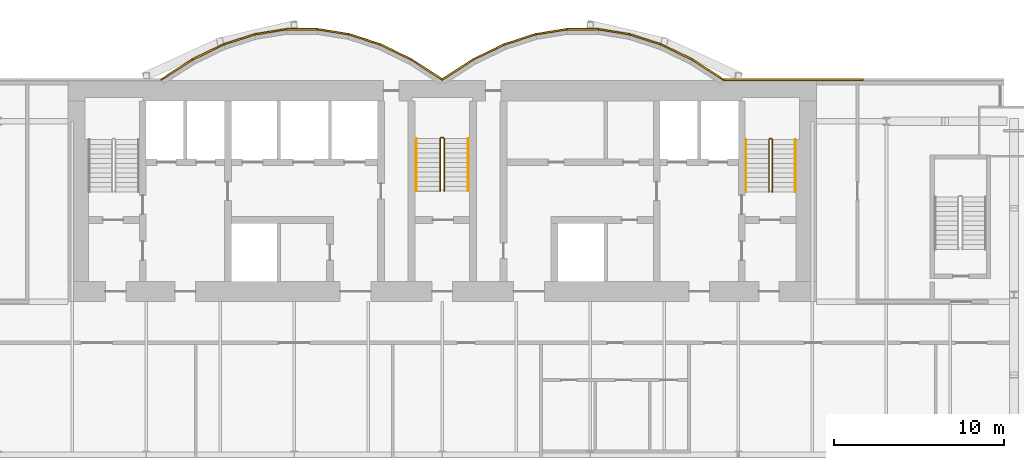
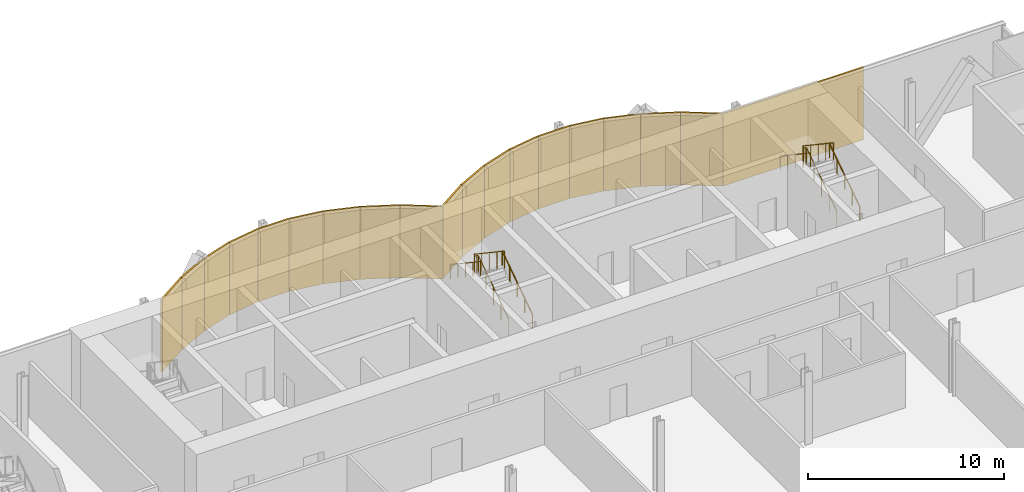
# One storey, part 20 of 21: 19 coverings, 6 railings.
"""IFC4 building model written with IfcOpenShell, lengths in metres."""

from ifc_helpers import new_model, si_unit, direction, frame, origin, origin_2d, place, context, subcontext, project, spatial, rectangle, circle, extrude, material, layer, layer_set, type_object, element, save


model = new_model("IFC4")

# Units and contexts
model_context = context("Model", 3, precision=1e-05, world=origin(), true_north=direction((0.0, 1.0)))
body_context = subcontext(model_context, "Body", "Model", "MODEL_VIEW")
ifc_project = project(units=[si_unit("LENGTHUNIT", "METRE"), si_unit("AREAUNIT", "SQUARE_METRE"), si_unit("VOLUMEUNIT", "CUBIC_METRE"), si_unit("PLANEANGLEUNIT", "RADIAN"), si_unit("MASSUNIT", "GRAM", prefix="KILO")], contexts=[model_context])

# Site, building, storey
site_placement = place(None, origin())
site = spatial("IfcSite", under=ifc_project, at=site_placement, CompositionType="ELEMENT")
building_placement = place(site_placement, origin())
building = spatial("IfcBuilding", under=site, at=building_placement, Name="Bicima Exchange Tower", CompositionType="ELEMENT")
storey_placement = place(building_placement, frame((0.0, 0.0, 57.5)))
storey = spatial("IfcBuildingStorey", under=building, at=storey_placement, Name="L11", CompositionType="ELEMENT", Elevation=57.5)

# Coverings
ifc_material_1 = material(Name="Bronze metal cladding")
ifc_layer_1 = layer(ifc_material_1, 0.004)
ifc_material_2 = material(Name="Ventilated cavity")
ifc_layer_2 = layer(ifc_material_2, 0.06)
ifc_material_3 = material(Name="Galvanised steel rail and mineral wool", Category="steel")
ifc_layer_3 = layer(ifc_material_3, 0.036)
ifc_layer_set = layer_set([ifc_layer_1, ifc_layer_2, ifc_layer_3], Name="Ventilated cavity")
covering_type = type_object("IfcCoveringType", Name="Bronze metal cladding panel 100", PredefinedType="CLADDING", material=ifc_layer_set)
covering_1_placement = place(storey_placement, frame((20.625, 0.050048828125, -0.14990234375), z_axis=(0.0, 0.0, 1.0), x_axis=(-1.0, 0.0, 0.0)))
element("IfcCovering", 1, at=covering_1_placement, inside=storey, type_object=covering_type, Name="Bronze cladding L11 1.2", PredefinedType="CLADDING", context=body_context, shape_type="SweptSolid", body=[
    extrude(rectangle(XDim=8.25, YDim=0.10009765625, at=origin_2d()), origin(), (0.0, 0.0, 1.0), 4.5),
])
covering_2_placement = place(storey_placement, frame((15.610595703125, 0.634521484375, -0.14990234375), z_axis=(0.0, 0.0, 1.0), x_axis=(-0.839790466384, 0.542910648791, 0.0)))
element("IfcCovering", 2, at=covering_2_placement, inside=storey, type_object=covering_type, Name="Bronze cladding L11 2.1", PredefinedType="CLADDING", context=body_context, shape_type="SweptSolid", body=[
    extrude(rectangle(XDim=2.18310546875, YDim=0.10009765625, at=origin_2d()), origin(), (0.0, 0.0, 1.0), 4.5),
])
covering_3_placement = place(storey_placement, frame((13.771728515625, 1.674560546875, -0.14990234375), z_axis=(0.0, 0.0, 1.0), x_axis=(-0.899818346812, 0.436264762204, 0.0)))
element("IfcCovering", 3, at=covering_3_placement, inside=storey, type_object=covering_type, Name="Bronze cladding L11 3.1", PredefinedType="CLADDING", context=body_context, shape_type="SweptSolid", body=[
    extrude(rectangle(XDim=2.03759765625, YDim=0.10009765625, at=origin_2d()), origin(), (0.0, 0.0, 1.0), 4.5),
])
covering_4_placement = place(storey_placement, frame((11.931884765625, 2.41796875, -0.14990234375), z_axis=(0.0, 0.0, 1.0), x_axis=(-0.951524642381, 0.307572519808, 0.0)))
element("IfcCovering", 4, at=covering_4_placement, inside=storey, type_object=covering_type, Name="Bronze cladding L11 4.1", PredefinedType="CLADDING", context=body_context, shape_type="SweptSolid", body=[
    extrude(rectangle(XDim=1.9267578125, YDim=0.10009765625, at=origin_2d()), origin(), (0.0, 0.0, 1.0), 4.5),
])
covering_5_placement = place(storey_placement, frame((10.09130859375, 2.8642578125, -0.14990234375), z_axis=(0.0, 0.0, 1.0), x_axis=(-0.987189786347, 0.159550386184, 0.0)))
element("IfcCovering", 5, at=covering_5_placement, inside=storey, type_object=covering_type, Name="Bronze cladding L11 5.1", PredefinedType="CLADDING", context=body_context, shape_type="SweptSolid", body=[
    extrude(rectangle(XDim=1.857177734375, YDim=0.10009765625, at=origin_2d()), origin(), (0.0, 0.0, 1.0), 4.5),
])
covering_6_placement = place(storey_placement, frame((8.25, 3.012939453125, -0.14990234375), z_axis=(0.0, 0.0, 1.0), x_axis=(-1.0, 0.0, 0.0)))
element("IfcCovering", 6, at=covering_6_placement, inside=storey, type_object=covering_type, Name="Bronze cladding L11 6.1", PredefinedType="CLADDING", context=body_context, shape_type="SweptSolid", body=[
    extrude(rectangle(XDim=1.83349609375, YDim=0.10009765625, at=origin_2d()), origin(), (0.0, 0.0, 1.0), 4.5),
])
covering_7_placement = place(storey_placement, frame((6.40869140625, 2.8642578125, -0.14990234375), z_axis=(0.0, 0.0, 1.0), x_axis=(-0.987189786347, -0.159550386184, 0.0)))
element("IfcCovering", 7, at=covering_7_placement, inside=storey, type_object=covering_type, Name="Bronze cladding L11 7.1", PredefinedType="CLADDING", context=body_context, shape_type="SweptSolid", body=[
    extrude(rectangle(XDim=1.857177734375, YDim=0.10009765625, at=origin_2d()), origin(), (0.0, 0.0, 1.0), 4.5),
])
covering_8_placement = place(storey_placement, frame((4.568115234375, 2.41796875, -0.14990234375), z_axis=(0.0, 0.0, 1.0), x_axis=(-0.951524642381, -0.307572519808, 0.0)))
element("IfcCovering", 8, at=covering_8_placement, inside=storey, type_object=covering_type, Name="Bronze cladding L11 8.1", PredefinedType="CLADDING", context=body_context, shape_type="SweptSolid", body=[
    extrude(rectangle(XDim=1.9267578125, YDim=0.10009765625, at=origin_2d()), origin(), (0.0, 0.0, 1.0), 4.5),
])
covering_9_placement = place(storey_placement, frame((2.728271484375, 1.674560546875, -0.14990234375), z_axis=(0.0, 0.0, 1.0), x_axis=(-0.899818346812, -0.436264762204, 0.0)))
element("IfcCovering", 9, at=covering_9_placement, inside=storey, type_object=covering_type, Name="Bronze cladding L11 9.1", PredefinedType="CLADDING", context=body_context, shape_type="SweptSolid", body=[
    extrude(rectangle(XDim=2.03759765625, YDim=0.10009765625, at=origin_2d()), origin(), (0.0, 0.0, 1.0), 4.5),
])
for number, where, z_axis, x_axis, name in (
    (10, (0.889404296875, 0.634521484375, -0.14990234375), (0.0, 0.0, 1.0), (-0.839790466384, -0.542910648791, 0.0), "Bronze cladding L11 10.1"),
    (11, (-0.889404296875, 0.634521484375, -0.14990234375), (0.0, 0.0, 1.0), (-0.839790466384, 0.542910648791, 0.0), "Bronze cladding L11 11.1"),
):
    element("IfcCovering", number, at=place(storey_placement, frame(where, z_axis=z_axis, x_axis=x_axis)), inside=storey, type_object=covering_type, Name=name, PredefinedType="CLADDING", context=body_context, shape_type="SweptSolid", body=[
        extrude(rectangle(XDim=2.18310546875, YDim=0.10009765625, at=origin_2d()), origin(), (0.0, 0.0, 1.0), 4.5),
    ])
covering_10_placement = place(storey_placement, frame((-2.728271484375, 1.674560546875, -0.14990234375), z_axis=(0.0, 0.0, 1.0), x_axis=(-0.899818346812, 0.436264762204, 0.0)))
element("IfcCovering", 12, at=covering_10_placement, inside=storey, type_object=covering_type, Name="Bronze cladding L11 12.1", PredefinedType="CLADDING", context=body_context, shape_type="SweptSolid", body=[
    extrude(rectangle(XDim=2.03759765625, YDim=0.10009765625, at=origin_2d()), origin(), (0.0, 0.0, 1.0), 4.5),
])
covering_11_placement = place(storey_placement, frame((-4.568115234375, 2.41796875, -0.14990234375), z_axis=(0.0, 0.0, 1.0), x_axis=(-0.951524642381, 0.307572519808, 0.0)))
element("IfcCovering", 13, at=covering_11_placement, inside=storey, type_object=covering_type, Name="Bronze cladding L11 13.1", PredefinedType="CLADDING", context=body_context, shape_type="SweptSolid", body=[
    extrude(rectangle(XDim=1.9267578125, YDim=0.10009765625, at=origin_2d()), origin(), (0.0, 0.0, 1.0), 4.5),
])
covering_12_placement = place(storey_placement, frame((-6.40869140625, 2.8642578125, -0.14990234375), z_axis=(0.0, 0.0, 1.0), x_axis=(-0.987189786347, 0.159550386184, 0.0)))
element("IfcCovering", 14, at=covering_12_placement, inside=storey, type_object=covering_type, Name="Bronze cladding L11 14.1", PredefinedType="CLADDING", context=body_context, shape_type="SweptSolid", body=[
    extrude(rectangle(XDim=1.857177734375, YDim=0.10009765625, at=origin_2d()), origin(), (0.0, 0.0, 1.0), 4.5),
])
covering_13_placement = place(storey_placement, frame((-8.25, 3.012939453125, -0.14990234375), z_axis=(0.0, 0.0, 1.0), x_axis=(-1.0, 0.0, 0.0)))
element("IfcCovering", 15, at=covering_13_placement, inside=storey, type_object=covering_type, Name="Bronze cladding L11 15.1", PredefinedType="CLADDING", context=body_context, shape_type="SweptSolid", body=[
    extrude(rectangle(XDim=1.83349609375, YDim=0.10009765625, at=origin_2d()), origin(), (0.0, 0.0, 1.0), 4.5),
])
covering_14_placement = place(storey_placement, frame((-10.09130859375, 2.8642578125, -0.14990234375), z_axis=(0.0, 0.0, 1.0), x_axis=(-0.987189786347, -0.159550386184, 0.0)))
element("IfcCovering", 16, at=covering_14_placement, inside=storey, type_object=covering_type, Name="Bronze cladding L11 16.1", PredefinedType="CLADDING", context=body_context, shape_type="SweptSolid", body=[
    extrude(rectangle(XDim=1.857177734375, YDim=0.10009765625, at=origin_2d()), origin(), (0.0, 0.0, 1.0), 4.5),
])
covering_15_placement = place(storey_placement, frame((-11.931884765625, 2.41796875, -0.14990234375), z_axis=(0.0, 0.0, 1.0), x_axis=(-0.951524642381, -0.307572519808, 0.0)))
element("IfcCovering", 17, at=covering_15_placement, inside=storey, type_object=covering_type, Name="Bronze cladding L11 17.1", PredefinedType="CLADDING", context=body_context, shape_type="SweptSolid", body=[
    extrude(rectangle(XDim=1.9267578125, YDim=0.10009765625, at=origin_2d()), origin(), (0.0, 0.0, 1.0), 4.5),
])
covering_16_placement = place(storey_placement, frame((-13.771728515625, 1.674560546875, -0.14990234375), z_axis=(0.0, 0.0, 1.0), x_axis=(-0.899818346812, -0.436264762204, 0.0)))
element("IfcCovering", 18, at=covering_16_placement, inside=storey, type_object=covering_type, Name="Bronze cladding L11 18.1", PredefinedType="CLADDING", context=body_context, shape_type="SweptSolid", body=[
    extrude(rectangle(XDim=2.03759765625, YDim=0.10009765625, at=origin_2d()), origin(), (0.0, 0.0, 1.0), 4.5),
])
covering_17_placement = place(storey_placement, frame((-15.610595703125, 0.634521484375, -0.14990234375), z_axis=(0.0, 0.0, 1.0), x_axis=(-0.839790466384, -0.542910648791, 0.0)))
element("IfcCovering", 19, at=covering_17_placement, inside=storey, type_object=covering_type, Name="Bronze cladding L11 19.1", PredefinedType="CLADDING", context=body_context, shape_type="SweptSolid", body=[
    extrude(rectangle(XDim=2.18310546875, YDim=0.10009765625, at=origin_2d()), origin(), (0.0, 0.0, 1.0), 4.5),
])

# Railings
ifc_material_4 = material(Name="Stainless steel", Category="steel")
railing_type_1 = type_object("IfcRailingType", Name="Stair guard 1100", PredefinedType="GUARDRAIL", material=ifc_material_4)
railing_1_placement = place(storey_placement, frame((0.125, -6.5, 0.1875)))
element("IfcRailing", 20, at=railing_1_placement, inside=storey, type_object=railing_type_1, Name="L11 ST-C stair guard 1", PredefinedType="GUARDRAIL", context=body_context, shape_type="SweptSolid", body=[
    extrude(circle(Radius=0.02392578125, at=origin_2d()), frame((0.0, 0.0, 1.076171875), z_axis=(0.0, 0.830913701846, 0.55640131208), x_axis=(-1.0, 0.0, 0.0)), (0.0, 0.0, 1.0), 3.706787109375),
    extrude(circle(Radius=0.02392578125, at=origin_2d()), frame((0.0, 3.080078125, 3.138671875), z_axis=(-0.708833529934, 0.705375805398, 0.0), x_axis=(-0.705375805398, -0.708833529934, 0.0)), (0.0, 0.0, 1.0), 0.070556640625),
    extrude(circle(Radius=0.02392578125, at=origin_2d()), frame((-0.050048828125, 3.1298828125, 3.138671875), z_axis=(-1.0, 0.0, 0.0), x_axis=(0.0, -1.0, 0.0)), (0.0, 0.0, 1.0), 0.14990234375),
    extrude(circle(Radius=0.02392578125, at=origin_2d()), frame((-0.199951171875, 3.1298828125, 3.138671875), z_axis=(-0.249802250048, -0.248583702486, 0.935844527007), x_axis=(0.705375805398, -0.708833529934, 0.0)), (0.0, 0.0, 1.0), 0.200439453125),
    extrude(circle(Radius=0.02392578125, at=origin_2d()), frame((-0.25, 3.080078125, 3.326171875), z_axis=(0.0, -0.830913701846, 0.55640131208), x_axis=(1.0, 0.0, 0.0)), (0.0, 0.0, 1.0), 3.706787109375),
    extrude(circle(Radius=0.02099609375, at=origin_2d()), origin(), (0.0, 0.0, 1.0), 1.052001953125),
    extrude(circle(Radius=0.02099609375, at=origin_2d()), frame((0.0, 0.77001953125, 0.515625)), (0.0, 0.0, 1.0), 1.052001953125),
    extrude(circle(Radius=0.02099609375, at=origin_2d()), frame((0.0, 1.5400390625, 1.03125)), (0.0, 0.0, 1.0), 1.052001953125),
    extrude(circle(Radius=0.02099609375, at=origin_2d()), frame((0.0, 2.31005859375, 1.546875)), (0.0, 0.0, 1.0), 1.052001953125),
    extrude(circle(Radius=0.02099609375, at=origin_2d()), frame((0.0, 3.080078125, 2.0625)), (0.0, 0.0, 1.0), 1.052001953125),
    extrude(circle(Radius=0.02099609375, at=origin_2d()), frame((-0.050048828125, 3.1298828125, 2.0625)), (0.0, 0.0, 1.0), 1.052001953125),
    extrude(circle(Radius=0.02099609375, at=origin_2d()), frame((-0.199951171875, 3.1298828125, 2.0625)), (0.0, 0.0, 1.0), 1.052001953125),
    extrude(circle(Radius=0.02099609375, at=origin_2d()), frame((-0.25, 3.080078125, 2.25)), (0.0, 0.0, 1.0), 1.052001953125),
    extrude(circle(Radius=0.02099609375, at=origin_2d()), frame((-0.25, 2.31005859375, 2.765625)), (0.0, 0.0, 1.0), 1.052001953125),
    extrude(circle(Radius=0.02099609375, at=origin_2d()), frame((-0.25, 1.5400390625, 3.28125)), (0.0, 0.0, 1.0), 1.052001953125),
    extrude(circle(Radius=0.02099609375, at=origin_2d()), frame((-0.25, 0.77001953125, 3.796875)), (0.0, 0.0, 1.0), 1.052001953125),
    extrude(circle(Radius=0.02099609375, at=origin_2d()), frame((-0.25, 0.0, 4.3125)), (0.0, 0.0, 1.0), 1.052001953125),
])
railing_2_placement = place(storey_placement, frame((19.39990234375, -6.550048828125, 0.1875)))
element("IfcRailing", 21, at=railing_2_placement, inside=storey, type_object=railing_type_1, Name="L11 ST-E stair guard 1", PredefinedType="GUARDRAIL", context=body_context, shape_type="SweptSolid", body=[
    extrude(circle(Radius=0.02392578125, at=origin_2d()), frame((0.0, 0.0, 1.076171875), z_axis=(0.0, 0.830913701846, 0.55640131208), x_axis=(-1.0, 0.0, 0.0)), (0.0, 0.0, 1.0), 3.706787109375),
    extrude(circle(Radius=0.02392578125, at=origin_2d()), frame((0.0, 3.080078125, 3.138671875), z_axis=(-0.705375805398, 0.708833529934, 0.0), x_axis=(-0.708833529934, -0.705375805398, 0.0)), (0.0, 0.0, 1.0), 0.070556640625),
    extrude(circle(Radius=0.02392578125, at=origin_2d()), frame((-0.0498046875, 3.130126953125, 3.138671875), z_axis=(-1.0, 0.0, 0.0), x_axis=(0.0, -1.0, 0.0)), (0.0, 0.0, 1.0), 0.10009765625),
    extrude(circle(Radius=0.02392578125, at=origin_2d()), frame((-0.14990234375, 3.130126953125, 3.138671875), z_axis=(-0.249726431254, -0.249726431254, 0.935560483917), x_axis=(0.707106781187, -0.707106781187, 0.0)), (0.0, 0.0, 1.0), 0.200439453125),
    extrude(circle(Radius=0.02392578125, at=origin_2d()), frame((-0.199951171875, 3.080078125, 3.326171875), z_axis=(0.0, -0.830913701846, 0.55640131208), x_axis=(1.0, 0.0, 0.0)), (0.0, 0.0, 1.0), 3.706787109375),
    extrude(circle(Radius=0.02099609375, at=origin_2d()), origin(), (0.0, 0.0, 1.0), 1.052001953125),
    extrude(circle(Radius=0.02099609375, at=origin_2d()), frame((0.0, 0.77001953125, 0.515625)), (0.0, 0.0, 1.0), 1.052001953125),
    extrude(circle(Radius=0.02099609375, at=origin_2d()), frame((0.0, 1.5400390625, 1.03125)), (0.0, 0.0, 1.0), 1.052001953125),
    extrude(circle(Radius=0.02099609375, at=origin_2d()), frame((0.0, 2.31005859375, 1.546875)), (0.0, 0.0, 1.0), 1.052001953125),
    extrude(circle(Radius=0.02099609375, at=origin_2d()), frame((0.0, 3.080078125, 2.0625)), (0.0, 0.0, 1.0), 1.052001953125),
    extrude(circle(Radius=0.02099609375, at=origin_2d()), frame((-0.0498046875, 3.130126953125, 2.0625)), (0.0, 0.0, 1.0), 1.052001953125),
    extrude(circle(Radius=0.02099609375, at=origin_2d()), frame((-0.14990234375, 3.130126953125, 2.0625)), (0.0, 0.0, 1.0), 1.052001953125),
    extrude(circle(Radius=0.02099609375, at=origin_2d()), frame((-0.199951171875, 3.080078125, 2.25)), (0.0, 0.0, 1.0), 1.052001953125),
    extrude(circle(Radius=0.02099609375, at=origin_2d()), frame((-0.199951171875, 2.31005859375, 2.765625)), (0.0, 0.0, 1.0), 1.052001953125),
    extrude(circle(Radius=0.02099609375, at=origin_2d()), frame((-0.199951171875, 1.5400390625, 3.28125)), (0.0, 0.0, 1.0), 1.052001953125),
    extrude(circle(Radius=0.02099609375, at=origin_2d()), frame((-0.199951171875, 0.77001953125, 3.796875)), (0.0, 0.0, 1.0), 1.052001953125),
    extrude(circle(Radius=0.02099609375, at=origin_2d()), frame((-0.199951171875, 0.0, 4.3125)), (0.0, 0.0, 1.0), 1.052001953125),
])
railing_type_2 = type_object("IfcRailingType", Name="Stair handrail 900", PredefinedType="HANDRAIL", material=ifc_material_4)
railing_3_placement = place(storey_placement, frame((1.52490234375, -6.5, 0.1875)))
element("IfcRailing", 22, at=railing_3_placement, inside=storey, type_object=railing_type_2, Name="L11 ST-C stair handrail 1", PredefinedType="HANDRAIL", context=body_context, shape_type="SweptSolid", body=[
    extrude(circle(Radius=0.02392578125, at=origin_2d()), frame((0.0, 0.0, 0.8759765625), z_axis=(0.0, 0.830913701846, 0.55640131208), x_axis=(-1.0, 0.0, 0.0)), (0.0, 0.0, 1.0), 3.706787109375),
    extrude(circle(Radius=0.02099609375, at=origin_2d()), origin(), (0.0, 0.0, 1.0), 0.851806640625),
    extrude(circle(Radius=0.02099609375, at=origin_2d()), frame((0.0, 0.77001953125, 0.515625)), (0.0, 0.0, 1.0), 0.851806640625),
    extrude(circle(Radius=0.02099609375, at=origin_2d()), frame((0.0, 1.5400390625, 1.03125)), (0.0, 0.0, 1.0), 0.851806640625),
    extrude(circle(Radius=0.02099609375, at=origin_2d()), frame((0.0, 2.31005859375, 1.546875)), (0.0, 0.0, 1.0), 0.851806640625),
    extrude(circle(Radius=0.02099609375, at=origin_2d()), frame((0.0, 3.080078125, 2.0625)), (0.0, 0.0, 1.0), 0.851806640625),
])
railing_4_placement = place(storey_placement, frame((-1.52490234375, -3.419921875, 2.47900390625)))
element("IfcRailing", 23, at=railing_4_placement, inside=storey, type_object=railing_type_2, Name="L11 ST-C stair handrail 2", PredefinedType="HANDRAIL", context=body_context, shape_type="SweptSolid", body=[
    extrude(circle(Radius=0.02392578125, at=origin_2d()), frame((0.0, 0.0, 0.8759765625), z_axis=(0.0, -0.830913701846, 0.55640131208), x_axis=(1.0, 0.0, 0.0)), (0.0, 0.0, 1.0), 3.706787109375),
    extrude(circle(Radius=0.02099609375, at=origin_2d()), origin(), (0.0, 0.0, 1.0), 0.851806640625),
    extrude(circle(Radius=0.02099609375, at=origin_2d()), frame((0.0, -0.77001953125, 0.515625)), (0.0, 0.0, 1.0), 0.851806640625),
    extrude(circle(Radius=0.02099609375, at=origin_2d()), frame((0.0, -1.5400390625, 1.03125)), (0.0, 0.0, 1.0), 0.851806640625),
    extrude(circle(Radius=0.02099609375, at=origin_2d()), frame((0.0, -2.31005859375, 1.546875)), (0.0, 0.0, 1.0), 0.851806640625),
    extrude(circle(Radius=0.02099609375, at=origin_2d()), frame((0.0, -3.080078125, 2.0625)), (0.0, 0.0, 1.0), 0.851806640625),
])
railing_5_placement = place(storey_placement, frame((20.75, -6.550048828125, 0.1875)))
element("IfcRailing", 24, at=railing_5_placement, inside=storey, type_object=railing_type_2, Name="L11 ST-E stair handrail 1", PredefinedType="HANDRAIL", context=body_context, shape_type="SweptSolid", body=[
    extrude(circle(Radius=0.02392578125, at=origin_2d()), frame((0.0, 0.0, 0.8759765625), z_axis=(0.0, 0.830913701846, 0.55640131208), x_axis=(-1.0, 0.0, 0.0)), (0.0, 0.0, 1.0), 3.706787109375),
    extrude(circle(Radius=0.02099609375, at=origin_2d()), origin(), (0.0, 0.0, 1.0), 0.851806640625),
    extrude(circle(Radius=0.02099609375, at=origin_2d()), frame((0.0, 0.77001953125, 0.515625)), (0.0, 0.0, 1.0), 0.851806640625),
    extrude(circle(Radius=0.02099609375, at=origin_2d()), frame((0.0, 1.5400390625, 1.03125)), (0.0, 0.0, 1.0), 0.851806640625),
    extrude(circle(Radius=0.02099609375, at=origin_2d()), frame((0.0, 2.31005859375, 1.546875)), (0.0, 0.0, 1.0), 0.851806640625),
    extrude(circle(Radius=0.02099609375, at=origin_2d()), frame((0.0, 3.080078125, 2.0625)), (0.0, 0.0, 1.0), 0.851806640625),
])
railing_6_placement = place(storey_placement, frame((17.85009765625, -3.469970703125, 2.47900390625)))
element("IfcRailing", 25, at=railing_6_placement, inside=storey, type_object=railing_type_2, Name="L11 ST-E stair handrail 2", PredefinedType="HANDRAIL", context=body_context, shape_type="SweptSolid", body=[
    extrude(circle(Radius=0.02392578125, at=origin_2d()), frame((0.0, 0.0, 0.8759765625), z_axis=(0.0, -0.830913701846, 0.55640131208), x_axis=(1.0, 0.0, 0.0)), (0.0, 0.0, 1.0), 3.706787109375),
    extrude(circle(Radius=0.02099609375, at=origin_2d()), origin(), (0.0, 0.0, 1.0), 0.851806640625),
    extrude(circle(Radius=0.02099609375, at=origin_2d()), frame((0.0, -0.77001953125, 0.515625)), (0.0, 0.0, 1.0), 0.851806640625),
    extrude(circle(Radius=0.02099609375, at=origin_2d()), frame((0.0, -1.5400390625, 1.03125)), (0.0, 0.0, 1.0), 0.851806640625),
    extrude(circle(Radius=0.02099609375, at=origin_2d()), frame((0.0, -2.31005859375, 1.546875)), (0.0, 0.0, 1.0), 0.851806640625),
    extrude(circle(Radius=0.02099609375, at=origin_2d()), frame((0.0, -3.080078125, 2.0625)), (0.0, 0.0, 1.0), 0.851806640625),
])

save(model, "model.ifc")
